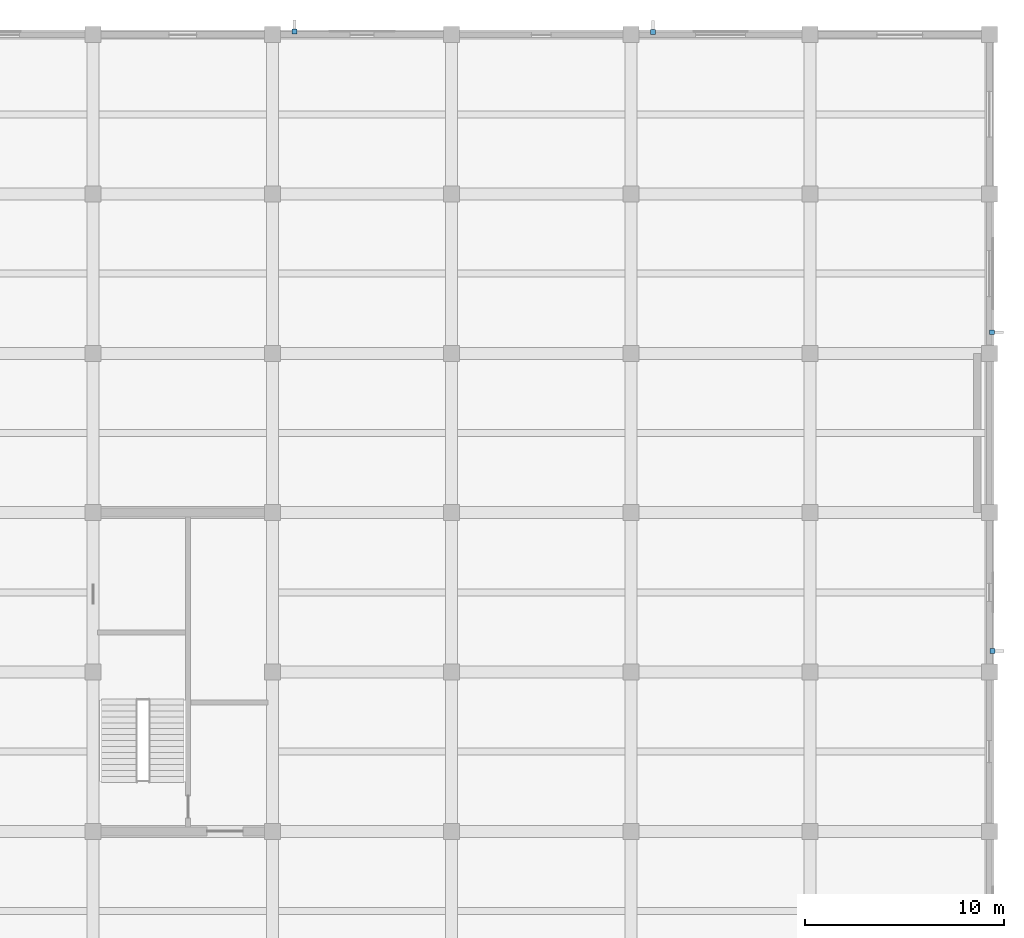
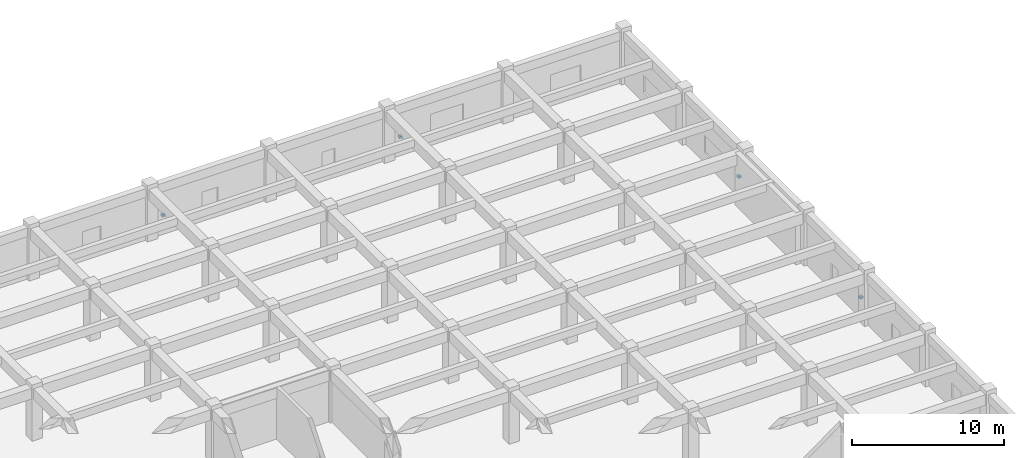
# One storey, part 41 of 50: 4 discrete accessories.
"""IFC4 building model written with IfcOpenShell, lengths in metres."""

from ifc_helpers import new_model, si_unit, direction, frame, origin, origin_2d, place, context, subcontext, project, spatial, rectangle, extrude, material, layer, layer_set, type_object, element, save


model = new_model("IFC4")

# Units and contexts
model_context = context("Model", 3, precision=1e-05, world=origin(), true_north=direction((0.0, 1.0)))
body_context = subcontext(model_context, "Body", "Model", "MODEL_VIEW")
ifc_project = project(units=[si_unit("LENGTHUNIT", "METRE"), si_unit("AREAUNIT", "SQUARE_METRE"), si_unit("VOLUMEUNIT", "CUBIC_METRE"), si_unit("PLANEANGLEUNIT", "RADIAN"), si_unit("MASSUNIT", "GRAM", prefix="KILO")], contexts=[model_context])

# Site, building, storey
site_placement = place(None, origin())
site = spatial("IfcSite", under=ifc_project, at=site_placement, CompositionType="ELEMENT")
building_placement = place(site_placement, origin())
building = spatial("IfcBuilding", under=site, at=building_placement, Name="Zaverband Oceanarium and Marine Research Institute", CompositionType="ELEMENT")
storey_placement = place(building_placement, frame((0.0, 0.0, 4.5)))
storey = spatial("IfcBuildingStorey", under=building, at=storey_placement, Name="L01", CompositionType="ELEMENT", Elevation=4.5)

# Discrete accessories
ifc_material = material(Name="Steel S355", Category="steel")
ifc_layer = layer(ifc_material, 0.179931640625, Name="Steel S355")
ifc_layer_set = layer_set([ifc_layer], Name="Steel S355")
discrete_accessory_type = type_object("IfcDiscreteAccessoryType", Name="BRK-STL-200", PredefinedType="BRACKET", material=ifc_layer_set)
for number, where, z_axis, x_axis, name in (
    (1, (145.10498046875, 120.155029296875, 1.22021484375), (0.0, 0.0, 1.0), (1.0, 0.0, 0.0), "Galvanized steel facade fin structural bracket BRK-STL-200"),
    (2, (163.10498046875, 120.132568359375, 1.22021484375), (0.0, 0.0, 1.0), (1.0, 0.0, 0.0), "Galvanized steel facade fin structural bracket BRK-STL-200"),
    (3, (180.155029296875, 89.054931640625, 1.22021484375), (0.0, 0.0, 1.0), (1.0, 0.0, 0.0), "Galvanized steel facade fin structural bracket BRK-STL-200"),
    (4, (180.132568359375, 105.054931640625, 1.22021484375), (0.0, 0.0, 1.0), (1.0, 0.0, 0.0), "Galvanized steel facade fin structural bracket BRK-STL-200"),
):
    element("IfcDiscreteAccessory", number, at=place(storey_placement, frame(where, z_axis=z_axis, x_axis=x_axis)), inside=storey, type_object=discrete_accessory_type, Name=name, PredefinedType="BRACKET", context=body_context, shape_type="SweptSolid", body=[
        extrude(rectangle(XDim=0.239990234375, YDim=0.239990234375, at=origin_2d()), origin(), (0.0, 0.0, 1.0), 0.179931640625),
    ])

save(model, "model.ifc")
